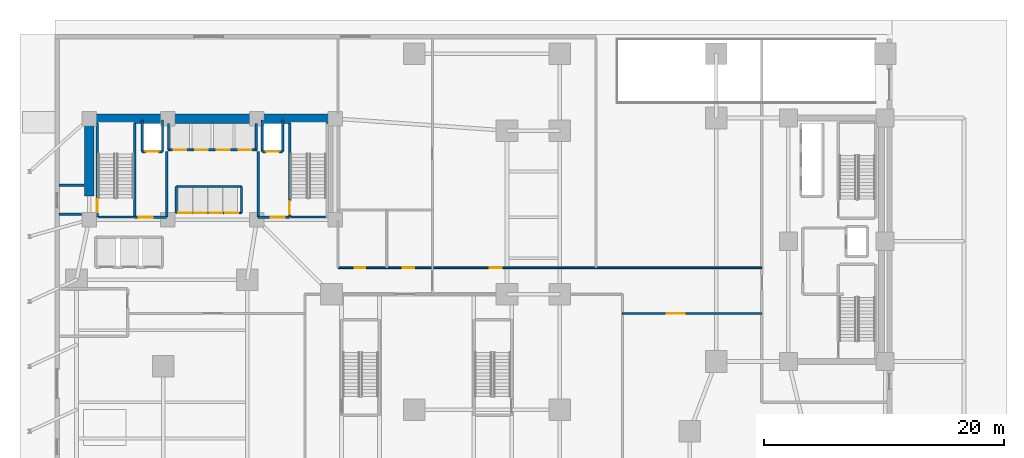
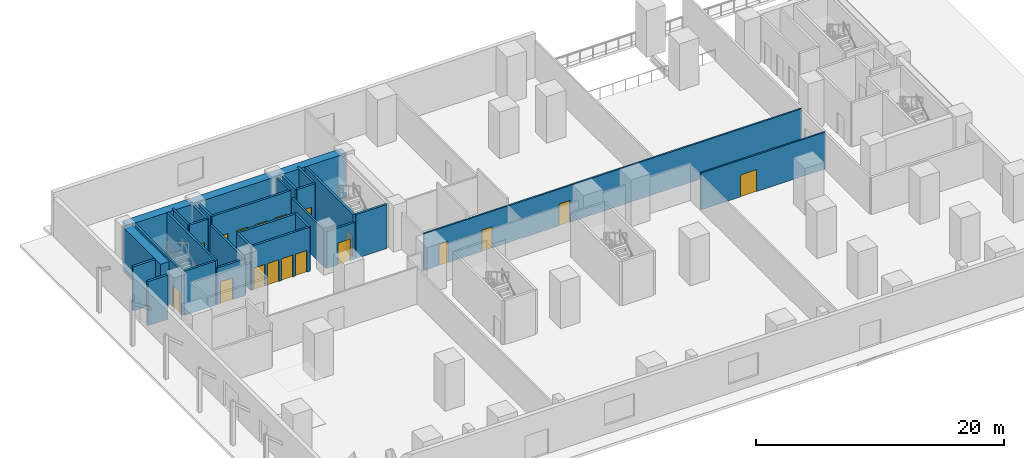
# One storey, part 7 of 14: 28 walls, 18 doors, 18 openings.
"""IFC4 building model written with IfcOpenShell, lengths in metres."""

import ifcopenshell
import ifcopenshell.guid

model = None  # the IFC model being written
_history = None  # IfcOwnerHistory: only IFC2X3 demands one
_inside = {}  # id of a spatial element -> (the spatial element, [elements in it])
_under = {}  # id of a project, library or spatial element -> (it, [spatial elements below it])
_declared = {}  # id of a project -> (the project, [libraries it declares])
_typed = {}  # id of a type object -> (the type object, [elements of that type])
_made_of = {}  # id of a material, layer set ... -> (it, [elements and type objects made of it])


def new_model(schema):
    """Start an empty IFC model of exactly this schema.

    Asked for "IFC4X3", IfcOpenShell would pick the latest addendum, in which some entities
    have other attributes; the version numbers below select the first issue.
    IFC2X3 requires an IfcOwnerHistory on every rooted entity: one is made here for all.
    """
    global model, _history
    if schema == "IFC4X3":
        model = ifcopenshell.file(schema_version=(4, 3, 0, 0))
    else:
        model = ifcopenshell.file(schema=schema)
    _inside.clear()
    _under.clear()
    _declared.clear()
    _typed.clear()
    _made_of.clear()
    _history = None
    if model.schema == "IFC2X3":
        org = make("IfcOrganization", Name="unknown")
        user = make(
            "IfcPersonAndOrganization",
            ThePerson=make("IfcPerson", FamilyName="unknown"),
            TheOrganization=org,
        )
        app = make(
            "IfcApplication",
            ApplicationDeveloper=org,
            Version="unknown",
            ApplicationFullName="unknown",
            ApplicationIdentifier="unknown",
        )
        _history = make(
            "IfcOwnerHistory",
            OwningUser=user,
            OwningApplication=app,
            ChangeAction="ADDED",
            CreationDate=0,
        )
    return model


def make(cls, **values):
    """One entity of the class cls with the attributes given. An attribute that is None is left unset."""
    return model.create_entity(
        cls, **{name: value for name, value in values.items() if value is not None}
    )


def rooted(cls, **values):
    """An entity with a GlobalId (a new one), such as an element, a storey or a relation."""
    return make(cls, GlobalId=ifcopenshell.guid.new(), OwnerHistory=_history, **values)


def si_unit(unit_type, name, prefix=None):
    """IfcSIUnit, for example si_unit("LENGTHUNIT", "METRE", prefix="MILLI")."""
    return make("IfcSIUnit", UnitType=unit_type, Prefix=prefix, Name=name)


def assignment(units):
    """IfcUnitAssignment: the units of a project."""
    return None if units is None else make("IfcUnitAssignment", Units=units)


def point(xyz):
    """IfcCartesianPoint."""
    return None if xyz is None else make("IfcCartesianPoint", Coordinates=xyz)


def direction(xyz):
    """IfcDirection."""
    return None if xyz is None else make("IfcDirection", DirectionRatios=xyz)


def frame(location, z_axis=None, x_axis=None):
    """IfcAxis2Placement3D, a coordinate frame: its origin and axes. An axis left out is left unset."""
    return make(
        "IfcAxis2Placement3D",
        Location=point(location),
        Axis=direction(z_axis),
        RefDirection=direction(x_axis),
    )


def frame_2d(location, x_axis=None):
    """IfcAxis2Placement2D, a coordinate frame in the plane: its origin and x axis."""
    return make(
        "IfcAxis2Placement2D", Location=point(location), RefDirection=direction(x_axis)
    )


def origin():
    """The frame at (0, 0, 0) with its axes left unset."""
    return frame((0.0, 0.0, 0.0))


def place(relative_to, where):
    """IfcLocalPlacement: puts the frame where relative to a parent placement (None: the world)."""
    return make(
        "IfcLocalPlacement", PlacementRelTo=relative_to, RelativePlacement=where
    )


def context(
    kind, dimensions, precision=None, world=None, true_north=None, identifier=None
):
    """IfcGeometricRepresentationContext, for example the 3D "Model" context."""
    return make(
        "IfcGeometricRepresentationContext",
        ContextIdentifier=identifier,
        ContextType=kind,
        CoordinateSpaceDimension=dimensions,
        Precision=precision,
        WorldCoordinateSystem=world,
        TrueNorth=true_north,
    )


def subcontext(parent, identifier, kind, view, scale=None):
    """IfcGeometricRepresentationSubContext, for example "Body" below "Model"."""
    return make(
        "IfcGeometricRepresentationSubContext",
        ContextIdentifier=identifier,
        ContextType=kind,
        ParentContext=parent,
        TargetScale=scale,
        TargetView=view,
    )


def project(units=None, contexts=None):
    """IfcProject with its units and contexts."""
    return rooted(
        "IfcProject",
        Name="project",
        RepresentationContexts=contexts,
        UnitsInContext=assignment(units),
    )


def spatial(cls, under=None, at=None, **own):
    """A site, building, storey or space (cls), placed at a placement, below another one or the project."""
    s = rooted(cls, ObjectPlacement=at, **own)
    if under is not None:
        _under.setdefault(under.id(), (under, []))[1].append(s)
    return s


def profile(cls, at=None, kind="AREA", **sizes):
    """A parametric profile (cls). Its sizes go by their IFC names, for example OverallWidth=200.0."""
    return make(cls, ProfileType=kind, Position=at, **sizes)


def rectangle(**sizes):
    """IfcRectangleProfileDef."""
    return profile("IfcRectangleProfileDef", **sizes)


def extrude(swept, where, along, depth):
    """IfcExtrudedAreaSolid: the profile swept, set in the frame where, extruded along a direction by depth."""
    return make(
        "IfcExtrudedAreaSolid",
        SweptArea=swept,
        Position=where,
        ExtrudedDirection=direction(along),
        Depth=depth,
    )


def shape(context_of_items, identifier, shape_type, items):
    """IfcShapeRepresentation: the items that make up one representation, for example the "Body"."""
    return make(
        "IfcShapeRepresentation",
        ContextOfItems=context_of_items,
        RepresentationIdentifier=identifier,
        RepresentationType=shape_type,
        Items=items,
    )


def material(Name=None, Category=None):
    """IfcMaterial."""
    return make("IfcMaterial", Name=Name, Category=Category)


def layer(
    of_material, thickness, ventilated=None, Name=None, Category=None, Priority=None
):
    """IfcMaterialLayer: one layer of a wall or slab, of a material (None: an air gap)."""
    return make(
        "IfcMaterialLayer",
        Material=of_material,
        LayerThickness=thickness,
        IsVentilated=ventilated,
        Name=Name,
        Category=Category,
        Priority=Priority,
    )


def layer_set(layers, Name=None):
    """IfcMaterialLayerSet."""
    return make("IfcMaterialLayerSet", MaterialLayers=layers, LayerSetName=Name)


def made_of(thing, what):
    """Note that an element or type object is made of a material, layer set ...; save() writes the relation."""
    if what is not None:
        _made_of.setdefault(what.id(), (what, []))[1].append(thing)
    return thing


def type_object(cls, material=None, **own):
    """A type object (cls), such as IfcWallType, which elements share."""
    return made_of(rooted(cls, **own), material)


def element(
    cls,
    number,
    at=None,
    inside=None,
    cuts=None,
    type_object=None,
    material=None,
    context=None,
    identifier="Body",
    shape_type=None,
    held_by="IfcProductDefinitionShape",
    body=None,
    shapes=None,
    **own,
):
    """One element of the class cls, such as IfcWall. Its Tag is "e" and its number.

    at: its placement. inside: the storey or other place that contains it. cuts: it is an
    opening in that element (IfcRelVoidsElement). A single representation is given by context,
    identifier, shape_type and body (its items); several are given by shapes. held_by: the class
    of the entity that holds the representations. save() writes the other relations.
    """
    e = rooted(cls, Tag="e%d" % number, ObjectPlacement=at, **own)
    if body is not None:
        shapes = [shape(context, identifier, shape_type, body)]
    if shapes is not None:
        e.Representation = make(held_by, Representations=shapes)
    if inside is not None:
        _inside.setdefault(inside.id(), (inside, []))[1].append(e)
    if cuts is not None:
        rooted(
            "IfcRelVoidsElement", RelatingBuildingElement=cuts, RelatedOpeningElement=e
        )
    if type_object is not None:
        _typed.setdefault(type_object.id(), (type_object, []))[1].append(e)
    return made_of(e, material)


def fill(opening, filler):
    """IfcRelFillsElement: the door or window that sits in an opening."""
    return rooted(
        "IfcRelFillsElement",
        RelatingOpeningElement=opening,
        RelatedBuildingElement=filler,
    )


def aggregate(whole, parts):
    """IfcRelAggregates: a whole, such as a stair, and the parts it consists of."""
    return rooted("IfcRelAggregates", RelatingObject=whole, RelatedObjects=parts)


def save(model, path):
    """Write the relations noted so far, then the file.

    IfcRelAggregates (storeys below a building ...), IfcRelContainedInSpatialStructure (elements
    in a storey), IfcRelDefinesByType, IfcRelAssociatesMaterial and IfcRelDeclares: one each for
    every whole, place, type object, material and project.
    """
    for whole, parts in _under.values():
        aggregate(whole, parts)
    for where, things in _inside.values():
        rooted(
            "IfcRelContainedInSpatialStructure",
            RelatedElements=things,
            RelatingStructure=where,
        )
    for kind, things in _typed.values():
        rooted("IfcRelDefinesByType", RelatedObjects=things, RelatingType=kind)
    for what, things in _made_of.values():
        rooted("IfcRelAssociatesMaterial", RelatedObjects=things, RelatingMaterial=what)
    for by, libraries in _declared.values():
        rooted("IfcRelDeclares", RelatingContext=by, RelatedDefinitions=libraries)
    model.write(path)


model = new_model("IFC4")

# Units and contexts
model_context = context("Model", 3, precision=1e-05, world=origin(), true_north=direction((0.0, 1.0)))
body_context = subcontext(model_context, "Body", "Model", "MODEL_VIEW")
ifc_project = project(units=[si_unit("LENGTHUNIT", "METRE"), si_unit("AREAUNIT", "SQUARE_METRE"), si_unit("VOLUMEUNIT", "CUBIC_METRE"), si_unit("PLANEANGLEUNIT", "RADIAN"), si_unit("MASSUNIT", "GRAM", prefix="KILO")], contexts=[model_context])

# Site, building, storey
site_placement = place(None, origin())
site = spatial("IfcSite", under=ifc_project, at=site_placement, CompositionType="ELEMENT")
building_placement = place(site_placement, origin())
building = spatial("IfcBuilding", under=site, at=building_placement, Name="Kuzgunbayir Cultural Tower", CompositionType="ELEMENT")
storey_placement = place(building_placement, origin())
storey = spatial("IfcBuildingStorey", under=building, at=storey_placement, Name="L00", CompositionType="ELEMENT", Elevation=0.0)

# Walls
ifc_material_1 = material(Name="Concrete C60/75", Category="concrete")
ifc_layer_1 = layer(ifc_material_1, 0.800048828125)
ifc_layer_set_1 = layer_set([ifc_layer_1], Name="Concrete C60/75")
wall_type_1 = type_object("IfcWallType", Name="WAL-CORE-800", PredefinedType="SHEAR", material=ifc_layer_set_1)
wall_1_placement = place(storey_placement, frame((6.449951171875, 42.199951171875, 0.0), z_axis=(0.0, 0.0, 1.0), x_axis=(1.0, 0.0, 0.0)))
element("IfcWall", 1, at=wall_1_placement, inside=storey, type_object=wall_type_1, Name="L00 T1 Core North Shear Wall", PredefinedType="SHEAR", context=body_context, shape_type="SweptSolid", body=[
    extrude(rectangle(XDim=20.449951171875, YDim=0.800048828125, at=frame_2d((10.22509765625, 0.0))), origin(), (0.0, 0.0, 1.0), 4.35009765625),
])
wall_2_placement = place(storey_placement, frame((6.449951171875, 35.75, 0.0), z_axis=(0.0, 0.0, 1.0), x_axis=(0.0, 1.0, 0.0)))
element("IfcWall", 2, at=wall_2_placement, inside=storey, type_object=wall_type_1, Name="L00 T1 Core West Shear Wall North", PredefinedType="SHEAR", context=body_context, shape_type="SweptSolid", body=[
    extrude(rectangle(XDim=6.0, YDim=0.800048828125, at=frame_2d((3.0, 0.0))), origin(), (0.0, 0.0, 1.0), 4.35009765625),
])

# Wall, opening, door
ifc_material_2 = material(Name="Acoustic Double-Stud Drywall", Category="gypsum")
ifc_layer_2 = layer(ifc_material_2, 0.14990234375)
ifc_layer_set_2 = layer_set([ifc_layer_2], Name="Acoustic Double-Stud Drywall")
wall_type_2 = type_object("IfcWallType", Name="WAL-PART-ACOUSTIC-150", PredefinedType="PARTITIONING", material=ifc_layer_set_2)
wall_3_placement = place(storey_placement, frame((50.800048828125, 26.0, 0.0), z_axis=(0.0, 0.0, 1.0), x_axis=(1.0, 0.0, 0.0)))
wall_3 = element("IfcWall", 3, at=wall_3_placement, inside=storey, type_object=wall_type_2, Name="L00 East Concourse South Wall", PredefinedType="PARTITIONING", context=body_context, shape_type="SweptSolid", body=[
    extrude(rectangle(XDim=11.599853515625, YDim=0.14990234375, at=frame_2d((5.7998046875, 0.0))), origin(), (0.0, 0.0, 1.0), 3.6298828125),
])
opening_1_placement = place(wall_3_placement, frame((3.699951171875, 0.0, 0.0)))
opening_1 = element("IfcOpeningElement", 4, at=opening_1_placement, cuts=wall_3, Name="Opening DI-150", PredefinedType="OPENING", context=body_context, shape_type="SweptSolid", body=[
    extrude(rectangle(XDim=1.5, YDim=2.179931640625, at=frame_2d((0.75, 1.08984375))), frame((0.0, 0.0849609375, 0.0), z_axis=(0.0, -1.0, 0.0), x_axis=(1.0, 0.0, 0.0)), (0.0, 0.0, 1.0), 0.169921875),
])
ifc_material_3 = material(Name="Veneered Oak Double Leaf", Category="wood")
door_type_1 = type_object("IfcDoorType", Name="DR-INT-150", OperationType="DOUBLE_DOOR_SINGLE_SWING", PredefinedType="DOOR", material=ifc_material_3)
door_1_placement = place(opening_1_placement, origin())
door_1 = element("IfcDoor", 5, at=door_1_placement, inside=storey, type_object=door_type_1, Name="L00 East Hall Double Door", OperationType="DOUBLE_DOOR_SINGLE_SWING", OverallHeight=2.179931640625, OverallWidth=1.5, PredefinedType="DOOR", context=body_context, shape_type="SweptSolid", body=[
    extrude(rectangle(XDim=1.5, YDim=2.179931640625, at=frame_2d((0.75, 1.08984375))), frame((0.0, 0.02490234375, 0.0), z_axis=(0.0, -1.0, 0.0), x_axis=(1.0, 0.0, 0.0)), (0.0, 0.0, 1.0), 0.050048828125),
])
fill(opening_1, door_1)

# Wall, openings, doors
wall_4_placement = place(storey_placement, frame((27.14990234375, 29.800048828125, 0.0), z_axis=(0.0, 0.0, 1.0), x_axis=(1.0, 0.0, 0.0)))
wall_4 = element("IfcWall", 6, at=wall_4_placement, inside=storey, type_object=wall_type_2, Name="L00 Grand Concourse North Wall", PredefinedType="PARTITIONING", context=body_context, shape_type="SweptSolid", body=[
    extrude(rectangle(XDim=35.25, YDim=0.14990234375, at=frame_2d((17.625, 0.0))), origin(), (0.0, 0.0, 1.0), 3.6298828125),
])
opening_2_placement = place(wall_4_placement, frame((1.39990234375, 0.0, 0.0)))
opening_2 = element("IfcOpeningElement", 7, at=opening_2_placement, cuts=wall_4, Name="Opening DW-85", PredefinedType="OPENING", context=body_context, shape_type="SweptSolid", body=[
    extrude(rectangle(XDim=0.85009765625, YDim=2.10009765625, at=frame_2d((0.425048828125, 1.050048828125))), frame((0.0, 0.0849609375, 0.0), z_axis=(0.0, -1.0, 0.0), x_axis=(1.0, 0.0, 0.0)), (0.0, 0.0, 1.0), 0.169921875),
])
opening_3_placement = place(wall_4_placement, frame((5.39990234375, 0.0, 0.0)))
opening_3 = element("IfcOpeningElement", 8, at=opening_3_placement, cuts=wall_4, Name="Opening DW-95", PredefinedType="OPENING", context=body_context, shape_type="SweptSolid", body=[
    extrude(rectangle(XDim=0.949951171875, YDim=2.10009765625, at=frame_2d((0.47509765625, 1.050048828125))), frame((0.0, 0.0849609375, 0.0), z_axis=(0.0, -1.0, 0.0), x_axis=(1.0, 0.0, 0.0)), (0.0, 0.0, 1.0), 0.169921875),
])
opening_4_placement = place(wall_4_placement, frame((12.60009765625, 0.0, 0.0)))
opening_4 = element("IfcOpeningElement", 9, at=opening_4_placement, cuts=wall_4, Name="Opening DI-100", PredefinedType="OPENING", context=body_context, shape_type="SweptSolid", body=[
    extrude(rectangle(XDim=1.0, YDim=2.14990234375, at=frame_2d((0.5, 1.074951171875))), frame((0.0, 0.0849609375, 0.0), z_axis=(0.0, -1.0, 0.0), x_axis=(1.0, 0.0, 0.0)), (0.0, 0.0, 1.0), 0.169921875),
])
ifc_material_4 = material(Name="Veneered Oak Single Leaf", Category="wood")
door_type_2 = type_object("IfcDoorType", Name="DR-INT-100", OperationType="NOTDEFINED", PredefinedType="DOOR", material=ifc_material_4)
door_2_placement = place(opening_4_placement, origin())
door_2 = element("IfcDoor", 10, at=door_2_placement, inside=storey, type_object=door_type_2, Name="L00 North Hall Door", OperationType="SINGLE_SWING_RIGHT", OverallHeight=2.14990234375, OverallWidth=1.0, PredefinedType="DOOR", context=body_context, shape_type="SweptSolid", body=[
    extrude(rectangle(XDim=1.0, YDim=2.14990234375, at=frame_2d((0.5, 1.074951171875))), frame((0.0, 0.02490234375, 0.0), z_axis=(0.0, -1.0, 0.0), x_axis=(1.0, 0.0, 0.0)), (0.0, 0.0, 1.0), 0.050048828125),
])
fill(opening_4, door_2)
ifc_material_5 = material(Name="Laminate Moisture-Resistant Leaf", Category="wood")
door_type_3 = type_object("IfcDoorType", Name="DR-WET-85", OperationType="NOTDEFINED", PredefinedType="DOOR", material=ifc_material_5)
door_3_placement = place(opening_2_placement, origin())
door_3 = element("IfcDoor", 11, at=door_3_placement, inside=storey, type_object=door_type_3, Name="L00 Public WC Door", OperationType="SINGLE_SWING_RIGHT", OverallHeight=2.10009765625, OverallWidth=0.85009765625, PredefinedType="DOOR", context=body_context, shape_type="SweptSolid", body=[
    extrude(rectangle(XDim=0.85009765625, YDim=2.10009765625, at=frame_2d((0.425048828125, 1.050048828125))), frame((0.0, 0.02490234375, 0.0), z_axis=(0.0, -1.0, 0.0), x_axis=(1.0, 0.0, 0.0)), (0.0, 0.0, 1.0), 0.050048828125),
])
fill(opening_2, door_3)
door_type_4 = type_object("IfcDoorType", Name="DR-WET-95", OperationType="NOTDEFINED", PredefinedType="DOOR", material=ifc_material_5)
door_4_placement = place(opening_3_placement, origin())
door_4 = element("IfcDoor", 12, at=door_4_placement, inside=storey, type_object=door_type_4, Name="L00 Accessible WC Door", OperationType="SINGLE_SWING_LEFT", OverallHeight=2.10009765625, OverallWidth=0.949951171875, PredefinedType="DOOR", context=body_context, shape_type="SweptSolid", body=[
    extrude(rectangle(XDim=0.949951171875, YDim=2.10009765625, at=frame_2d((0.47509765625, 1.050048828125))), frame((0.0, 0.02490234375, 0.0), z_axis=(0.0, -1.0, 0.0), x_axis=(1.0, 0.0, 0.0)), (0.0, 0.0, 1.0), 0.050048828125),
])
fill(opening_3, door_4)

# Wall
ifc_material_6 = material(Name="Aerated Concrete Blockwork", Category="masonry")
ifc_layer_3 = layer(ifc_material_6, 0.199951171875)
ifc_layer_set_3 = layer_set([ifc_layer_3], Name="Aerated Concrete Blockwork")
wall_type_3 = type_object("IfcWallType", Name="WAL-PART-FIRE-200", PredefinedType="PARTITIONING", material=ifc_layer_set_3)
wall_5_placement = place(storey_placement, frame((12.89990234375, 34.0, 0.0), z_axis=(0.0, 0.0, 1.0), x_axis=(0.0, 1.0, 0.0)))
element("IfcWall", 13, at=wall_5_placement, inside=storey, type_object=wall_type_3, Name="L00 FFL-1 Lobby East Fire Wall", PredefinedType="PARTITIONING", context=body_context, shape_type="SweptSolid", body=[
    extrude(rectangle(XDim=5.449951171875, YDim=0.199951171875, at=frame_2d((2.72509765625, 0.0))), origin(), (0.0, 0.0, 1.0), 3.6298828125),
])

# Wall, opening, door
wall_6_placement = place(storey_placement, frame((10.239990234375, 34.0, 0.0), z_axis=(0.0, 0.0, 1.0), x_axis=(1.0, 0.0, 0.0)))
wall_6 = element("IfcWall", 14, at=wall_6_placement, inside=storey, type_object=wall_type_3, Name="L00 FFL-1 Lobby South Fire Wall", PredefinedType="PARTITIONING", context=body_context, shape_type="SweptSolid", body=[
    extrude(rectangle(XDim=2.659912109375, YDim=0.199951171875, at=frame_2d((1.330078125, 0.0))), origin(), (0.0, 0.0, 1.0), 3.6298828125),
])
opening_5_placement = place(wall_6_placement, frame((0.35009765625, 0.0, 0.0)))
opening_5 = element("IfcOpeningElement", 15, at=opening_5_placement, cuts=wall_6, Name="Opening DR-FFL-90", PredefinedType="OPENING", context=body_context, shape_type="SweptSolid", body=[
    extrude(rectangle(XDim=1.14990234375, YDim=2.14990234375, at=frame_2d((0.574951171875, 1.074951171875))), frame((0.0, 0.10986328125, 0.0), z_axis=(0.0, -1.0, 0.0), x_axis=(1.0, 0.0, 0.0)), (0.0, 0.0, 1.0), 0.219970703125),
])
ifc_material_7 = material(Name="Steel S355J2", Category="steel")
door_type_5 = type_object("IfcDoorType", Name="DR-FFL-90", OperationType="NOTDEFINED", PredefinedType="DOOR", material=ifc_material_7)
door_5_placement = place(opening_5_placement, origin())
door_5 = element("IfcDoor", 16, at=door_5_placement, inside=storey, type_object=door_type_5, Name="L00 Firefighting Lobby 1 Door", OperationType="SINGLE_SWING_LEFT", OverallHeight=2.14990234375, OverallWidth=1.14990234375, PredefinedType="DOOR", context=body_context, shape_type="SweptSolid", body=[
    extrude(rectangle(XDim=1.14990234375, YDim=2.14990234375, at=frame_2d((0.574951171875, 1.074951171875))), frame((0.0, 0.02490234375, 0.0), z_axis=(0.0, -1.0, 0.0), x_axis=(1.0, 0.0, 0.0)), (0.0, 0.0, 1.0), 0.050048828125),
])
fill(opening_5, door_5)

# Wall
wall_7_placement = place(storey_placement, frame((20.5, 34.0, 0.0), z_axis=(0.0, 0.0, 1.0), x_axis=(0.0, 1.0, 0.0)))
element("IfcWall", 17, at=wall_7_placement, inside=storey, type_object=wall_type_3, Name="L00 FFL-2 Lobby West Fire Wall", PredefinedType="PARTITIONING", context=body_context, shape_type="SweptSolid", body=[
    extrude(rectangle(XDim=5.449951171875, YDim=0.199951171875, at=frame_2d((2.72509765625, 0.0))), origin(), (0.0, 0.0, 1.0), 3.6298828125),
])

# Wall, opening, door
wall_8_placement = place(storey_placement, frame((20.5, 34.0, 0.0), z_axis=(0.0, 0.0, 1.0), x_axis=(1.0, 0.0, 0.0)))
wall_8 = element("IfcWall", 18, at=wall_8_placement, inside=storey, type_object=wall_type_3, Name="L00 FFL-2 Lobby South Fire Wall", PredefinedType="PARTITIONING", context=body_context, shape_type="SweptSolid", body=[
    extrude(rectangle(XDim=2.60009765625, YDim=0.199951171875, at=frame_2d((1.300048828125, 0.0))), origin(), (0.0, 0.0, 1.0), 3.6298828125),
])
opening_6_placement = place(wall_8_placement, frame((1.050048828125, 0.0, 0.0)))
opening_6 = element("IfcOpeningElement", 19, at=opening_6_placement, cuts=wall_8, Name="Opening DR-FFL-90", PredefinedType="OPENING", context=body_context, shape_type="SweptSolid", body=[
    extrude(rectangle(XDim=1.14990234375, YDim=2.14990234375, at=frame_2d((0.574951171875, 1.074951171875))), frame((0.0, 0.10986328125, 0.0), z_axis=(0.0, -1.0, 0.0), x_axis=(1.0, 0.0, 0.0)), (0.0, 0.0, 1.0), 0.219970703125),
])
door_6_placement = place(opening_6_placement, origin())
door_6 = element("IfcDoor", 20, at=door_6_placement, inside=storey, type_object=door_type_5, Name="L00 Firefighting Lobby 2 Door", OperationType="SINGLE_SWING_RIGHT", OverallHeight=2.14990234375, OverallWidth=1.14990234375, PredefinedType="DOOR", context=body_context, shape_type="SweptSolid", body=[
    extrude(rectangle(XDim=1.14990234375, YDim=2.14990234375, at=frame_2d((0.574951171875, 1.074951171875))), frame((0.0, 0.02490234375, 0.0), z_axis=(0.0, -1.0, 0.0), x_axis=(1.0, 0.0, 0.0)), (0.0, 0.0, 1.0), 0.050048828125),
])
fill(opening_6, door_6)

# Walls
ifc_material_8 = material(Name="Concrete C40/50", Category="concrete")
ifc_layer_4 = layer(ifc_material_8, 0.219970703125)
ifc_layer_set_4 = layer_set([ifc_layer_4], Name="Concrete C40/50")
wall_type_4 = type_object("IfcWallType", Name="WAL-PART-PLANT-200", PredefinedType="PARTITIONING", material=ifc_layer_set_4)
wall_9_placement = place(storey_placement, frame((3.949951171875, 34.25, 0.0), z_axis=(0.0, 0.0, 1.0), x_axis=(1.0, 0.0, 0.0)))
element("IfcWall", 21, at=wall_9_placement, inside=storey, type_object=wall_type_4, Name="L00 West Protected Exit Corridor South Fire Wall", PredefinedType="PARTITIONING", context=body_context, shape_type="SweptSolid", body=[
    extrude(rectangle(XDim=1.85009765625, YDim=0.219970703125, at=frame_2d((0.925048828125, 0.0))), origin(), (0.0, 0.0, 1.0), 4.35009765625),
])
wall_10_placement = place(storey_placement, frame((3.949951171875, 36.64990234375, 0.0), z_axis=(0.0, 0.0, 1.0), x_axis=(1.0, 0.0, 0.0)))
element("IfcWall", 22, at=wall_10_placement, inside=storey, type_object=wall_type_4, Name="L00 West Protected Exit Corridor North Fire Wall", PredefinedType="PARTITIONING", context=body_context, shape_type="SweptSolid", body=[
    extrude(rectangle(XDim=2.070068359375, YDim=0.219970703125, at=frame_2d((1.03515625, 0.0))), origin(), (0.0, 0.0, 1.0), 4.35009765625),
])

# Wall, opening, door
ifc_layer_5 = layer(ifc_material_8, 0.199951171875)
ifc_layer_set_5 = layer_set([ifc_layer_5], Name="Concrete C40/50")
wall_type_5 = type_object("IfcWallType", Name="WAL-SHAFT-200", PredefinedType="MOVABLE", material=ifc_layer_set_5)
wall_11_placement = place(storey_placement, frame((10.85009765625, 39.449951171875, 0.0), z_axis=(0.0, 0.0, 1.0), x_axis=(1.0, 0.0, 0.0)))
wall_11 = element("IfcWall", 23, at=wall_11_placement, inside=storey, type_object=wall_type_5, Name="L00 FFL-1 Lift Front Wall", PredefinedType="MOVABLE", context=body_context, shape_type="SweptSolid", body=[
    extrude(rectangle(XDim=1.699951171875, YDim=0.199951171875, at=frame_2d((0.85009765625, 0.0))), origin(), (0.0, 0.0, 1.0), 4.35009765625),
])
opening_7_placement = place(wall_11_placement, frame((0.320068359375, 0.0, 0.0)))
opening_7 = element("IfcOpeningElement", 24, at=opening_7_placement, cuts=wall_11, Name="Opening LD", PredefinedType="OPENING", context=body_context, shape_type="SweptSolid", body=[
    extrude(rectangle(XDim=1.050048828125, YDim=2.14990234375, at=frame_2d((0.52490234375, 1.074951171875))), frame((0.0, 0.10986328125, 0.0), z_axis=(0.0, -1.0, 0.0), x_axis=(1.0, 0.0, 0.0)), (0.0, 0.0, 1.0), 0.219970703125),
])
ifc_material_9 = material(Name="Brushed Stainless Steel", Category="steel")
door_type_6 = type_object("IfcDoorType", Name="DR-LIFT-LANDING", OperationType="SLIDING_TO_LEFT", PredefinedType="DOOR", material=ifc_material_9)
door_7_placement = place(opening_7_placement, origin())
door_7 = element("IfcDoor", 25, at=door_7_placement, inside=storey, type_object=door_type_6, Name="L00 Lift FFL-1 Landing Door", OperationType="SLIDING_TO_LEFT", OverallHeight=2.14990234375, OverallWidth=1.050048828125, PredefinedType="DOOR", context=body_context, shape_type="SweptSolid", body=[
    extrude(rectangle(XDim=1.050048828125, YDim=2.14990234375, at=frame_2d((0.52490234375, 1.074951171875))), frame((0.0, 0.02490234375, 0.0), z_axis=(0.0, -1.0, 0.0), x_axis=(1.0, 0.0, 0.0)), (0.0, 0.0, 1.0), 0.050048828125),
])
fill(opening_7, door_7)

wall_12_placement = place(storey_placement, frame((20.85009765625, 39.449951171875, 0.0), z_axis=(0.0, 0.0, 1.0), x_axis=(1.0, 0.0, 0.0)))
wall_12 = element("IfcWall", 26, at=wall_12_placement, inside=storey, type_object=wall_type_5, Name="L00 FFL-2 Lift Front Wall", PredefinedType="MOVABLE", context=body_context, shape_type="SweptSolid", body=[
    extrude(rectangle(XDim=1.699951171875, YDim=0.199951171875, at=frame_2d((0.85009765625, 0.0))), origin(), (0.0, 0.0, 1.0), 4.35009765625),
])
opening_8_placement = place(wall_12_placement, frame((0.320068359375, 0.0, 0.0)))
opening_8 = element("IfcOpeningElement", 27, at=opening_8_placement, cuts=wall_12, Name="Opening LD", PredefinedType="OPENING", context=body_context, shape_type="SweptSolid", body=[
    extrude(rectangle(XDim=1.050048828125, YDim=2.14990234375, at=frame_2d((0.52490234375, 1.074951171875))), frame((0.0, 0.10986328125, 0.0), z_axis=(0.0, -1.0, 0.0), x_axis=(1.0, 0.0, 0.0)), (0.0, 0.0, 1.0), 0.219970703125),
])
door_8_placement = place(opening_8_placement, origin())
door_8 = element("IfcDoor", 28, at=door_8_placement, inside=storey, type_object=door_type_6, Name="L00 Lift FFL-2 Landing Door", OperationType="SLIDING_TO_LEFT", OverallHeight=2.14990234375, OverallWidth=1.050048828125, PredefinedType="DOOR", context=body_context, shape_type="SweptSolid", body=[
    extrude(rectangle(XDim=1.050048828125, YDim=2.14990234375, at=frame_2d((0.52490234375, 1.074951171875))), frame((0.0, 0.02490234375, 0.0), z_axis=(0.0, -1.0, 0.0), x_axis=(1.0, 0.0, 0.0)), (0.0, 0.0, 1.0), 0.050048828125),
])
fill(opening_8, door_8)

# Walls
for number, where, z_axis, x_axis, name in (
    (29, (10.85009765625, 39.449951171875, 0.0), (0.0, 0.0, 1.0), (0.0, 1.0, 0.0), "L00 FFL-1 Shaft West Wall"),
    (30, (12.550048828125, 39.449951171875, 0.0), (0.0, 0.0, 1.0), (0.0, 1.0, 0.0), "L00 FFL-1 Shaft East Wall"),
    (31, (20.85009765625, 39.449951171875, 0.0), (0.0, 0.0, 1.0), (0.0, 1.0, 0.0), "L00 FFL-2 Shaft West Wall"),
    (32, (22.550048828125, 39.449951171875, 0.0), (0.0, 0.0, 1.0), (0.0, 1.0, 0.0), "L00 FFL-2 Shaft East Wall"),
):
    element("IfcWall", number, at=place(storey_placement, frame(where, z_axis=z_axis, x_axis=x_axis)), inside=storey, type_object=wall_type_5, Name=name, PredefinedType="MOVABLE", context=body_context, shape_type="SweptSolid", body=[
        extrude(rectangle(XDim=2.650146484375, YDim=0.199951171875, at=frame_2d((1.3251953125, 0.0))), origin(), (0.0, 0.0, 1.0), 4.35009765625),
    ])

# Wall, openings, doors
wall_13_placement = place(storey_placement, frame((13.0, 39.60009765625, 0.0), z_axis=(0.0, 0.0, 1.0), x_axis=(1.0, 0.0, 0.0)))
wall_13 = element("IfcWall", 33, at=wall_13_placement, inside=storey, type_object=wall_type_5, Name="L00 Low-Rise Lift Front Wall", PredefinedType="MOVABLE", context=body_context, shape_type="SweptSolid", body=[
    extrude(rectangle(XDim=7.39990234375, YDim=0.199951171875, at=frame_2d((3.699951171875, 0.0))), origin(), (0.0, 0.0, 1.0), 4.35009765625),
])
opening_9_placement = place(wall_13_placement, frame((0.469970703125, 0.0, 0.0)))
opening_9 = element("IfcOpeningElement", 34, at=opening_9_placement, cuts=wall_13, Name="Opening LD", PredefinedType="OPENING", context=body_context, shape_type="SweptSolid", body=[
    extrude(rectangle(XDim=1.050048828125, YDim=2.14990234375, at=frame_2d((0.52490234375, 1.074951171875))), frame((0.0, 0.10986328125, 0.0), z_axis=(0.0, -1.0, 0.0), x_axis=(1.0, 0.0, 0.0)), (0.0, 0.0, 1.0), 0.219970703125),
])
opening_10_placement = place(wall_13_placement, frame((2.280029296875, 0.0, 0.0)))
opening_10 = element("IfcOpeningElement", 35, at=opening_10_placement, cuts=wall_13, Name="Opening LD", PredefinedType="OPENING", context=body_context, shape_type="SweptSolid", body=[
    extrude(rectangle(XDim=1.050048828125, YDim=2.14990234375, at=frame_2d((0.52490234375, 1.074951171875))), frame((0.0, 0.10986328125, 0.0), z_axis=(0.0, -1.0, 0.0), x_axis=(1.0, 0.0, 0.0)), (0.0, 0.0, 1.0), 0.219970703125),
])
opening_11_placement = place(wall_13_placement, frame((4.080078125, 0.0, 0.0)))
opening_11 = element("IfcOpeningElement", 36, at=opening_11_placement, cuts=wall_13, Name="Opening LD", PredefinedType="OPENING", context=body_context, shape_type="SweptSolid", body=[
    extrude(rectangle(XDim=1.050048828125, YDim=2.14990234375, at=frame_2d((0.52490234375, 1.074951171875))), frame((0.0, 0.10986328125, 0.0), z_axis=(0.0, -1.0, 0.0), x_axis=(1.0, 0.0, 0.0)), (0.0, 0.0, 1.0), 0.219970703125),
])
opening_12_placement = place(wall_13_placement, frame((5.8798828125, 0.0, 0.0)))
opening_12 = element("IfcOpeningElement", 37, at=opening_12_placement, cuts=wall_13, Name="Opening LD", PredefinedType="OPENING", context=body_context, shape_type="SweptSolid", body=[
    extrude(rectangle(XDim=1.050048828125, YDim=2.14990234375, at=frame_2d((0.52490234375, 1.074951171875))), frame((0.0, 0.10986328125, 0.0), z_axis=(0.0, -1.0, 0.0), x_axis=(1.0, 0.0, 0.0)), (0.0, 0.0, 1.0), 0.219970703125),
])
door_9_placement = place(opening_9_placement, origin())
door_9 = element("IfcDoor", 38, at=door_9_placement, inside=storey, type_object=door_type_6, Name="L00 Lift PL-1 Landing Door", OperationType="SLIDING_TO_LEFT", OverallHeight=2.14990234375, OverallWidth=1.050048828125, PredefinedType="DOOR", context=body_context, shape_type="SweptSolid", body=[
    extrude(rectangle(XDim=1.050048828125, YDim=2.14990234375, at=frame_2d((0.52490234375, 1.074951171875))), frame((0.0, 0.02490234375, 0.0), z_axis=(0.0, -1.0, 0.0), x_axis=(1.0, 0.0, 0.0)), (0.0, 0.0, 1.0), 0.050048828125),
])
fill(opening_9, door_9)
door_10_placement = place(opening_10_placement, origin())
door_10 = element("IfcDoor", 39, at=door_10_placement, inside=storey, type_object=door_type_6, Name="L00 Lift PL-2 Landing Door", OperationType="SLIDING_TO_LEFT", OverallHeight=2.14990234375, OverallWidth=1.050048828125, PredefinedType="DOOR", context=body_context, shape_type="SweptSolid", body=[
    extrude(rectangle(XDim=1.050048828125, YDim=2.14990234375, at=frame_2d((0.52490234375, 1.074951171875))), frame((0.0, 0.02490234375, 0.0), z_axis=(0.0, -1.0, 0.0), x_axis=(1.0, 0.0, 0.0)), (0.0, 0.0, 1.0), 0.050048828125),
])
fill(opening_10, door_10)
door_11_placement = place(opening_11_placement, origin())
door_11 = element("IfcDoor", 40, at=door_11_placement, inside=storey, type_object=door_type_6, Name="L00 Lift PL-3 Landing Door", OperationType="SLIDING_TO_LEFT", OverallHeight=2.14990234375, OverallWidth=1.050048828125, PredefinedType="DOOR", context=body_context, shape_type="SweptSolid", body=[
    extrude(rectangle(XDim=1.050048828125, YDim=2.14990234375, at=frame_2d((0.52490234375, 1.074951171875))), frame((0.0, 0.02490234375, 0.0), z_axis=(0.0, -1.0, 0.0), x_axis=(1.0, 0.0, 0.0)), (0.0, 0.0, 1.0), 0.050048828125),
])
fill(opening_11, door_11)
door_12_placement = place(opening_12_placement, origin())
door_12 = element("IfcDoor", 41, at=door_12_placement, inside=storey, type_object=door_type_6, Name="L00 Lift PL-4 Landing Door", OperationType="SLIDING_TO_LEFT", OverallHeight=2.14990234375, OverallWidth=1.050048828125, PredefinedType="DOOR", context=body_context, shape_type="SweptSolid", body=[
    extrude(rectangle(XDim=1.050048828125, YDim=2.14990234375, at=frame_2d((0.52490234375, 1.074951171875))), frame((0.0, 0.02490234375, 0.0), z_axis=(0.0, -1.0, 0.0), x_axis=(1.0, 0.0, 0.0)), (0.0, 0.0, 1.0), 0.050048828125),
])
fill(opening_12, door_12)

# Walls
for number, where, z_axis, x_axis, name in (
    (42, (13.050048828125, 39.60009765625, 0.0), (0.0, 0.0, 1.0), (0.0, 1.0, 0.0), "L00 Low-Rise Lift Shaft West Wall"),
    (43, (20.35009765625, 39.60009765625, 0.0), (0.0, 0.0, 1.0), (0.0, 1.0, 0.0), "L00 Low-Rise Lift Shaft East Wall"),
):
    element("IfcWall", number, at=place(storey_placement, frame(where, z_axis=z_axis, x_axis=x_axis)), inside=storey, type_object=wall_type_5, Name=name, PredefinedType="MOVABLE", context=body_context, shape_type="SweptSolid", body=[
        extrude(rectangle(XDim=2.179931640625, YDim=0.199951171875, at=frame_2d((1.08984375, 0.0))), origin(), (0.0, 0.0, 1.0), 4.35009765625),
    ])

# Wall, openings, doors
wall_14_placement = place(storey_placement, frame((13.699951171875, 34.35009765625, 0.0), z_axis=(0.0, 0.0, 1.0), x_axis=(1.0, 0.0, 0.0)))
wall_14 = element("IfcWall", 44, at=wall_14_placement, inside=storey, type_object=wall_type_5, Name="L00 Mid-Rise Lift Front Wall", PredefinedType="MOVABLE", context=body_context, shape_type="SweptSolid", body=[
    extrude(rectangle(XDim=5.420166015625, YDim=0.199951171875, at=frame_2d((2.7099609375, 0.0))), origin(), (0.0, 0.0, 1.0), 4.35009765625),
])
opening_13_placement = place(wall_14_placement, frame((0.179931640625, 0.0, 0.0)))
opening_13 = element("IfcOpeningElement", 45, at=opening_13_placement, cuts=wall_14, Name="Opening LD", PredefinedType="OPENING", context=body_context, shape_type="SweptSolid", body=[
    extrude(rectangle(XDim=1.050048828125, YDim=2.14990234375, at=frame_2d((0.52490234375, 1.074951171875))), frame((0.0, 0.10986328125, 0.0), z_axis=(0.0, -1.0, 0.0), x_axis=(1.0, 0.0, 0.0)), (0.0, 0.0, 1.0), 0.219970703125),
])
opening_14_placement = place(wall_14_placement, frame((1.469970703125, 0.0, 0.0)))
opening_14 = element("IfcOpeningElement", 46, at=opening_14_placement, cuts=wall_14, Name="Opening LD", PredefinedType="OPENING", context=body_context, shape_type="SweptSolid", body=[
    extrude(rectangle(XDim=1.050048828125, YDim=2.14990234375, at=frame_2d((0.52490234375, 1.074951171875))), frame((0.0, 0.10986328125, 0.0), z_axis=(0.0, -1.0, 0.0), x_axis=(1.0, 0.0, 0.0)), (0.0, 0.0, 1.0), 0.219970703125),
])
opening_15_placement = place(wall_14_placement, frame((2.780029296875, 0.0, 0.0)))
opening_15 = element("IfcOpeningElement", 47, at=opening_15_placement, cuts=wall_14, Name="Opening LD", PredefinedType="OPENING", context=body_context, shape_type="SweptSolid", body=[
    extrude(rectangle(XDim=1.050048828125, YDim=2.14990234375, at=frame_2d((0.52490234375, 1.074951171875))), frame((0.0, 0.10986328125, 0.0), z_axis=(0.0, -1.0, 0.0), x_axis=(1.0, 0.0, 0.0)), (0.0, 0.0, 1.0), 0.219970703125),
])
opening_16_placement = place(wall_14_placement, frame((4.080078125, 0.0, 0.0)))
opening_16 = element("IfcOpeningElement", 48, at=opening_16_placement, cuts=wall_14, Name="Opening LD", PredefinedType="OPENING", context=body_context, shape_type="SweptSolid", body=[
    extrude(rectangle(XDim=1.050048828125, YDim=2.14990234375, at=frame_2d((0.52490234375, 1.074951171875))), frame((0.0, 0.10986328125, 0.0), z_axis=(0.0, -1.0, 0.0), x_axis=(1.0, 0.0, 0.0)), (0.0, 0.0, 1.0), 0.219970703125),
])
door_13_placement = place(opening_13_placement, origin())
door_13 = element("IfcDoor", 49, at=door_13_placement, inside=storey, type_object=door_type_6, Name="L00 Lift PM-1 Landing Door", OperationType="SLIDING_TO_LEFT", OverallHeight=2.14990234375, OverallWidth=1.050048828125, PredefinedType="DOOR", context=body_context, shape_type="SweptSolid", body=[
    extrude(rectangle(XDim=1.050048828125, YDim=2.14990234375, at=frame_2d((0.52490234375, 1.074951171875))), frame((0.0, 0.02490234375, 0.0), z_axis=(0.0, -1.0, 0.0), x_axis=(1.0, 0.0, 0.0)), (0.0, 0.0, 1.0), 0.050048828125),
])
fill(opening_13, door_13)
door_14_placement = place(opening_14_placement, origin())
door_14 = element("IfcDoor", 50, at=door_14_placement, inside=storey, type_object=door_type_6, Name="L00 Lift PM-2 Landing Door", OperationType="SLIDING_TO_LEFT", OverallHeight=2.14990234375, OverallWidth=1.050048828125, PredefinedType="DOOR", context=body_context, shape_type="SweptSolid", body=[
    extrude(rectangle(XDim=1.050048828125, YDim=2.14990234375, at=frame_2d((0.52490234375, 1.074951171875))), frame((0.0, 0.02490234375, 0.0), z_axis=(0.0, -1.0, 0.0), x_axis=(1.0, 0.0, 0.0)), (0.0, 0.0, 1.0), 0.050048828125),
])
fill(opening_14, door_14)
door_15_placement = place(opening_15_placement, origin())
door_15 = element("IfcDoor", 51, at=door_15_placement, inside=storey, type_object=door_type_6, Name="L00 Lift PM-3 Landing Door", OperationType="SLIDING_TO_LEFT", OverallHeight=2.14990234375, OverallWidth=1.050048828125, PredefinedType="DOOR", context=body_context, shape_type="SweptSolid", body=[
    extrude(rectangle(XDim=1.050048828125, YDim=2.14990234375, at=frame_2d((0.52490234375, 1.074951171875))), frame((0.0, 0.02490234375, 0.0), z_axis=(0.0, -1.0, 0.0), x_axis=(1.0, 0.0, 0.0)), (0.0, 0.0, 1.0), 0.050048828125),
])
fill(opening_15, door_15)
door_16_placement = place(opening_16_placement, origin())
door_16 = element("IfcDoor", 52, at=door_16_placement, inside=storey, type_object=door_type_6, Name="L00 Lift PM-4 Landing Door", OperationType="SLIDING_TO_LEFT", OverallHeight=2.14990234375, OverallWidth=1.050048828125, PredefinedType="DOOR", context=body_context, shape_type="SweptSolid", body=[
    extrude(rectangle(XDim=1.050048828125, YDim=2.14990234375, at=frame_2d((0.52490234375, 1.074951171875))), frame((0.0, 0.02490234375, 0.0), z_axis=(0.0, -1.0, 0.0), x_axis=(1.0, 0.0, 0.0)), (0.0, 0.0, 1.0), 0.050048828125),
])
fill(opening_16, door_16)

# Walls
wall_15_placement = place(storey_placement, frame((13.699951171875, 36.550048828125, 0.0), z_axis=(0.0, 0.0, 1.0), x_axis=(1.0, 0.0, 0.0)))
element("IfcWall", 53, at=wall_15_placement, inside=storey, type_object=wall_type_5, Name="L00 Mid-Rise Lift Shaft North Wall", PredefinedType="MOVABLE", context=body_context, shape_type="SweptSolid", body=[
    extrude(rectangle(XDim=5.420166015625, YDim=0.199951171875, at=frame_2d((2.7099609375, 0.0))), origin(), (0.0, 0.0, 1.0), 4.35009765625),
])
for number, where, z_axis, x_axis, name in (
    (54, (13.699951171875, 34.35009765625, 0.0), (0.0, 0.0, 1.0), (0.0, 1.0, 0.0), "L00 Mid-Rise Lift Shaft West Wall"),
    (55, (19.1201171875, 34.35009765625, 0.0), (0.0, 0.0, 1.0), (0.0, 1.0, 0.0), "L00 Mid-Rise Lift Shaft East Wall"),
):
    element("IfcWall", number, at=place(storey_placement, frame(where, z_axis=z_axis, x_axis=x_axis)), inside=storey, type_object=wall_type_5, Name=name, PredefinedType="MOVABLE", context=body_context, shape_type="SweptSolid", body=[
        extrude(rectangle(XDim=2.199951171875, YDim=0.199951171875, at=frame_2d((1.10009765625, 0.0))), origin(), (0.0, 0.0, 1.0), 4.35009765625),
    ])

# Wall, opening, door
ifc_layer_6 = layer(ifc_material_8, 0.199951171875)
ifc_layer_set_6 = layer_set([ifc_layer_6], Name="Concrete C40/50")
wall_type_6 = type_object("IfcWallType", Name="WAL-STAIR-RC-200", PredefinedType="SHEAR", material=ifc_layer_set_6)
wall_16_placement = place(storey_placement, frame((7.1201171875, 34.02001953125, 0.0), z_axis=(0.0, 0.0, 1.0), x_axis=(0.0, 1.0, 0.0)))
wall_16 = element("IfcWall", 56, at=wall_16_placement, inside=storey, type_object=wall_type_6, Name="L00 Stair ST-1 West Structural Wall", PredefinedType="SHEAR", context=body_context, shape_type="SweptSolid", body=[
    extrude(rectangle(XDim=7.780029296875, YDim=0.199951171875, at=frame_2d((3.89013671875, 0.0))), origin(), (0.0, 0.0, 1.0), 4.35009765625),
])
opening_17_placement = place(wall_16_placement, frame((0.389892578125, 0.0, 0.0)))
opening_17 = element("IfcOpeningElement", 57, at=opening_17_placement, cuts=wall_16, Name="Opening DR-STAIR-90", PredefinedType="OPENING", context=body_context, shape_type="SweptSolid", body=[
    extrude(rectangle(XDim=1.10009765625, YDim=2.14990234375, at=frame_2d((0.550048828125, 1.074951171875))), frame((0.0, 0.10986328125, 0.0), z_axis=(0.0, -1.0, 0.0), x_axis=(1.0, 0.0, 0.0)), (0.0, 0.0, 1.0), 0.219970703125),
])
door_type_7 = type_object("IfcDoorType", Name="DR-STAIR-90", OperationType="NOTDEFINED", PredefinedType="DOOR", material=ifc_material_7)
door_17_placement = place(opening_17_placement, origin())
door_17 = element("IfcDoor", 58, at=door_17_placement, inside=storey, type_object=door_type_7, Name="L00 Stair ST-1 Fire Door", OperationType="SINGLE_SWING_RIGHT", OverallHeight=2.14990234375, OverallWidth=1.10009765625, PredefinedType="DOOR", context=body_context, shape_type="SweptSolid", body=[
    extrude(rectangle(XDim=1.10009765625, YDim=2.14990234375, at=frame_2d((0.550048828125, 1.074951171875))), frame((0.0, 0.02490234375, 0.0), z_axis=(0.0, -1.0, 0.0), x_axis=(1.0, 0.0, 0.0)), (0.0, 0.0, 1.0), 0.050048828125),
])
fill(opening_17, door_17)

# Walls
wall_17_placement = place(storey_placement, frame((10.239990234375, 34.02001953125, 0.0), z_axis=(0.0, 0.0, 1.0), x_axis=(0.0, 1.0, 0.0)))
element("IfcWall", 59, at=wall_17_placement, inside=storey, type_object=wall_type_6, Name="L00 Stair ST-1 East Structural Wall", PredefinedType="SHEAR", context=body_context, shape_type="SweptSolid", body=[
    extrude(rectangle(XDim=7.780029296875, YDim=0.199951171875, at=frame_2d((3.89013671875, 0.0))), origin(), (0.0, 0.0, 1.0), 4.35009765625),
])
wall_18_placement = place(storey_placement, frame((7.239990234375, 34.02001953125, 0.0), z_axis=(0.0, 0.0, 1.0), x_axis=(1.0, 0.0, 0.0)))
element("IfcWall", 60, at=wall_18_placement, inside=storey, type_object=wall_type_6, Name="L00 Stair ST-1 South Structural Wall", PredefinedType="SHEAR", context=body_context, shape_type="SweptSolid", body=[
    extrude(rectangle(XDim=2.880126953125, YDim=0.199951171875, at=frame_2d((1.43994140625, 0.0))), origin(), (0.0, 0.0, 1.0), 4.35009765625),
])

# Wall, opening, door
wall_19_placement = place(storey_placement, frame((23.1201171875, 34.02001953125, 0.0), z_axis=(0.0, 0.0, 1.0), x_axis=(0.0, 1.0, 0.0)))
wall_19 = element("IfcWall", 61, at=wall_19_placement, inside=storey, type_object=wall_type_6, Name="L00 Stair ST-2 West Structural Wall", PredefinedType="SHEAR", context=body_context, shape_type="SweptSolid", body=[
    extrude(rectangle(XDim=7.780029296875, YDim=0.199951171875, at=frame_2d((3.89013671875, 0.0))), origin(), (0.0, 0.0, 1.0), 4.35009765625),
])
opening_18_placement = place(wall_19_placement, frame((0.219970703125, 0.0, 0.0)))
opening_18 = element("IfcOpeningElement", 62, at=opening_18_placement, cuts=wall_19, Name="Opening DR-STAIR-90", PredefinedType="OPENING", context=body_context, shape_type="SweptSolid", body=[
    extrude(rectangle(XDim=1.10009765625, YDim=2.14990234375, at=frame_2d((0.550048828125, 1.074951171875))), frame((0.0, 0.10986328125, 0.0), z_axis=(0.0, -1.0, 0.0), x_axis=(1.0, 0.0, 0.0)), (0.0, 0.0, 1.0), 0.219970703125),
])
door_18_placement = place(opening_18_placement, origin())
door_18 = element("IfcDoor", 63, at=door_18_placement, inside=storey, type_object=door_type_7, Name="L00 Stair ST-2 Fire Door", OperationType="SINGLE_SWING_RIGHT", OverallHeight=2.14990234375, OverallWidth=1.10009765625, PredefinedType="DOOR", context=body_context, shape_type="SweptSolid", body=[
    extrude(rectangle(XDim=1.10009765625, YDim=2.14990234375, at=frame_2d((0.550048828125, 1.074951171875))), frame((0.0, 0.02490234375, 0.0), z_axis=(0.0, -1.0, 0.0), x_axis=(1.0, 0.0, 0.0)), (0.0, 0.0, 1.0), 0.050048828125),
])
fill(opening_18, door_18)

# Wall
wall_20_placement = place(storey_placement, frame((23.239990234375, 34.02001953125, 0.0), z_axis=(0.0, 0.0, 1.0), x_axis=(1.0, 0.0, 0.0)))
element("IfcWall", 64, at=wall_20_placement, inside=storey, type_object=wall_type_6, Name="L00 Stair ST-2 South Structural Wall", PredefinedType="SHEAR", context=body_context, shape_type="SweptSolid", body=[
    extrude(rectangle(XDim=2.880126953125, YDim=0.199951171875, at=frame_2d((1.43994140625, 0.0))), origin(), (0.0, 0.0, 1.0), 4.35009765625),
])

save(model, "model.ifc")
